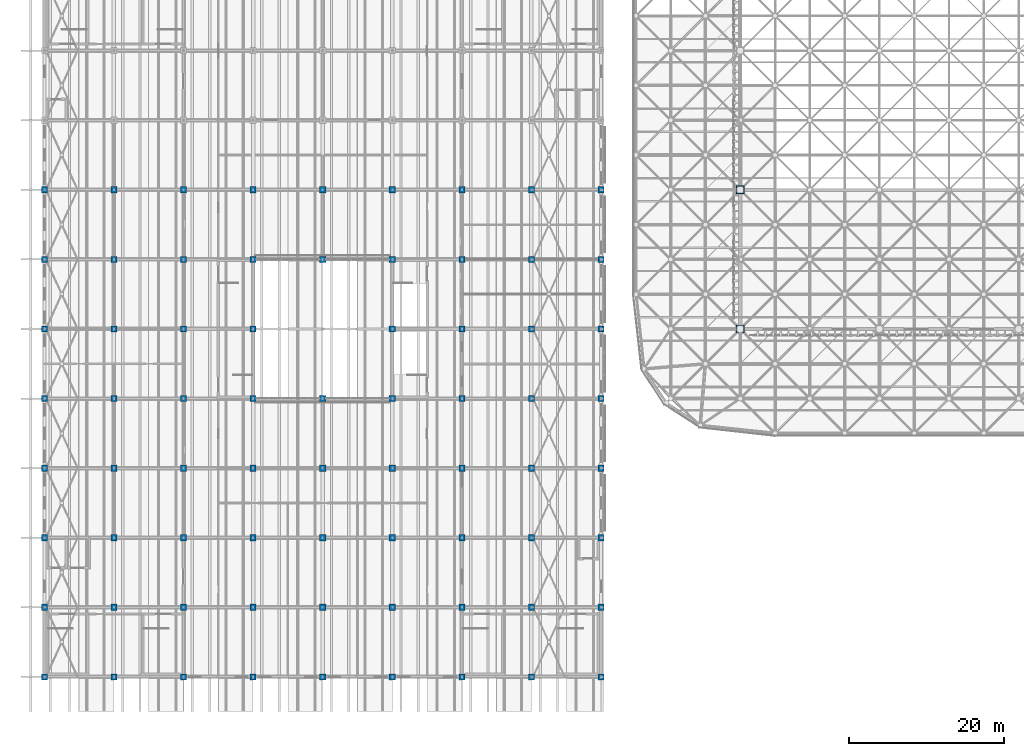
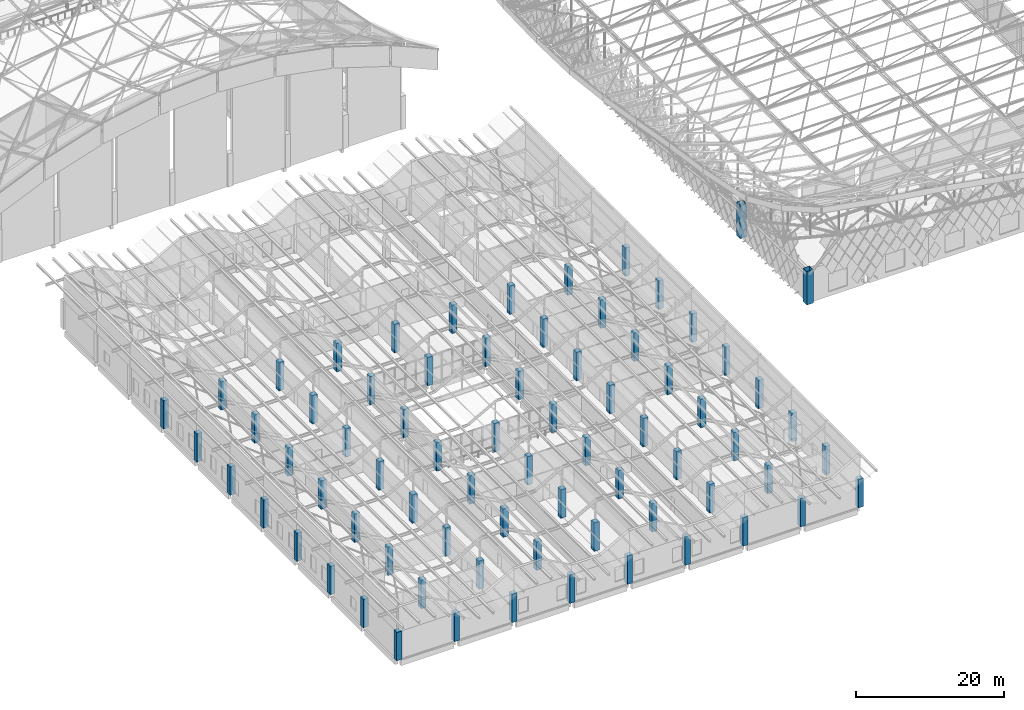
# One storey, part 1 of 437: 73 columns.
"""IFC4 building model written with IfcOpenShell, lengths in metres."""

from ifc_helpers import new_model, si_unit, direction, frame, origin, origin_2d, place, context, subcontext, project, spatial, rectangle, hollow_rectangle, extrude, material, material_profile, profile_set, type_object, element, save


model = new_model("IFC4")

# Units and contexts
model_context = context("Model", 3, precision=1e-05, world=origin(), true_north=direction((0.0, 1.0)))
body_context = subcontext(model_context, "Body", "Model", "MODEL_VIEW")
ifc_project = project(units=[si_unit("LENGTHUNIT", "METRE"), si_unit("AREAUNIT", "SQUARE_METRE"), si_unit("VOLUMEUNIT", "CUBIC_METRE"), si_unit("PLANEANGLEUNIT", "RADIAN"), si_unit("MASSUNIT", "GRAM", prefix="KILO")], contexts=[model_context])

# Site, building, storey
site_placement = place(None, origin())
site = spatial("IfcSite", under=ifc_project, at=site_placement, CompositionType="ELEMENT")
building_placement = place(site_placement, origin())
building = spatial("IfcBuilding", under=site, at=building_placement, Name="Opaline Strait Convention Centre", CompositionType="ELEMENT")
storey_placement = place(building_placement, frame((0.0, 0.0, 11.5)))
storey = spatial("IfcBuildingStorey", under=building, at=storey_placement, Name="L02", CompositionType="ELEMENT", Elevation=11.5)

# Columns
ifc_material_1 = material(Name="Steel Q355B", Category="steel")
ifc_material_profile_1 = material_profile(ifc_material_1, hollow_rectangle(XDim=1.0, YDim=1.0, WallThickness=0.031982421875, at=origin_2d()), Name="BOX 1000x1000x32")
ifc_profile_set_1 = profile_set([ifc_material_profile_1], Name="Steel Q355B")
column_type_1 = type_object("IfcColumnType", Name="CFT column BOX 1000x1000x32 C60 fill", PredefinedType="COLUMN", material=ifc_profile_set_1)
for number, where, z_axis, x_axis, name in (
    (1, (99.0, 54.0, 0.0), (0.0, 0.0, 1.0), (1.0, 0.0, 0.0), "Roof column XC-01"),
    (2, (99.0, 72.0, 0.0), (0.0, 0.0, 1.0), (1.0, 0.0, 0.0), "Roof column XC-02"),
):
    element("IfcColumn", number, at=place(storey_placement, frame(where, z_axis=z_axis, x_axis=x_axis)), inside=storey, type_object=column_type_1, Name=name, ObjectType="XC1", PredefinedType="COLUMN", context=body_context, shape_type="SweptSolid", body=[
        extrude(hollow_rectangle(XDim=1.0, YDim=1.0, WallThickness=0.031982421875, at=origin_2d()), origin(), (0.0, 0.0, 1.0), 5.5),
    ])
ifc_material_2 = material(Name="Concrete C40", Category="concrete")
ifc_material_profile_2 = material_profile(ifc_material_2, rectangle(XDim=0.800048828125, YDim=0.800048828125, at=origin_2d()), Name="RC 800x800")
ifc_profile_set_2 = profile_set([ifc_material_profile_2], Name="Concrete C40")
column_type_2 = type_object("IfcColumnType", Name="RC column 800x800 C40", PredefinedType="COLUMN", material=ifc_profile_set_2)
for number, where, z_axis, x_axis, name in (
    (3, (9.0, 9.0, 0.0), (0.0, 0.0, 1.0), (1.0, 0.0, 0.0), "RC1 L02 at 9/9"),
    (4, (9.0, 18.0, 0.0), (0.0, 0.0, 1.0), (1.0, 0.0, 0.0), "RC1 L02 at 9/18"),
    (5, (9.0, 27.0, 0.0), (0.0, 0.0, 1.0), (1.0, 0.0, 0.0), "RC1 L02 at 9/27"),
    (6, (9.0, 36.0, 0.0), (0.0, 0.0, 1.0), (1.0, 0.0, 0.0), "RC1 L02 at 9/36"),
    (7, (9.0, 45.0, 0.0), (0.0, 0.0, 1.0), (1.0, 0.0, 0.0), "RC1 L02 at 9/45"),
    (8, (9.0, 54.0, 0.0), (0.0, 0.0, 1.0), (1.0, 0.0, 0.0), "RC1 L02 at 9/54"),
    (9, (9.0, 63.0, 0.0), (0.0, 0.0, 1.0), (1.0, 0.0, 0.0), "RC1 L02 at 9/63"),
    (10, (9.0, 72.0, 0.0), (0.0, 0.0, 1.0), (1.0, 0.0, 0.0), "RC1 L02 at 9/72"),
    (11, (18.0, 9.0, 0.0), (0.0, 0.0, 1.0), (1.0, 0.0, 0.0), "RC1 L02 at 18/9"),
    (12, (18.0, 18.0, 0.0), (0.0, 0.0, 1.0), (1.0, 0.0, 0.0), "RC1 L02 at 18/18"),
    (13, (18.0, 27.0, 0.0), (0.0, 0.0, 1.0), (1.0, 0.0, 0.0), "RC1 L02 at 18/27"),
    (14, (18.0, 36.0, 0.0), (0.0, 0.0, 1.0), (1.0, 0.0, 0.0), "RC1 L02 at 18/36"),
    (15, (18.0, 45.0, 0.0), (0.0, 0.0, 1.0), (1.0, 0.0, 0.0), "RC1 L02 at 18/45"),
    (16, (18.0, 54.0, 0.0), (0.0, 0.0, 1.0), (1.0, 0.0, 0.0), "RC1 L02 at 18/54"),
    (17, (18.0, 63.0, 0.0), (0.0, 0.0, 1.0), (1.0, 0.0, 0.0), "RC1 L02 at 18/63"),
    (18, (18.0, 72.0, 0.0), (0.0, 0.0, 1.0), (1.0, 0.0, 0.0), "RC1 L02 at 18/72"),
    (19, (27.0, 9.0, 0.0), (0.0, 0.0, 1.0), (1.0, 0.0, 0.0), "RC1 L02 at 27/9"),
    (20, (27.0, 18.0, 0.0), (0.0, 0.0, 1.0), (1.0, 0.0, 0.0), "RC1 L02 at 27/18"),
    (21, (27.0, 27.0, 0.0), (0.0, 0.0, 1.0), (1.0, 0.0, 0.0), "RC1 L02 at 27/27"),
    (22, (27.0, 36.0, 0.0), (0.0, 0.0, 1.0), (1.0, 0.0, 0.0), "RC1 L02 at 27/36"),
    (23, (27.0, 45.0, 0.0), (0.0, 0.0, 1.0), (1.0, 0.0, 0.0), "RC1 L02 at 27/45"),
    (24, (27.0, 54.0, 0.0), (0.0, 0.0, 1.0), (1.0, 0.0, 0.0), "RC1 L02 at 27/54"),
    (25, (27.0, 63.0, 0.0), (0.0, 0.0, 1.0), (1.0, 0.0, 0.0), "RC1 L02 at 27/63"),
    (26, (27.0, 72.0, 0.0), (0.0, 0.0, 1.0), (1.0, 0.0, 0.0), "RC1 L02 at 27/72"),
    (27, (36.0, 9.0, 0.0), (0.0, 0.0, 1.0), (1.0, 0.0, 0.0), "RC1 L02 at 36/9"),
    (28, (36.0, 18.0, 0.0), (0.0, 0.0, 1.0), (1.0, 0.0, 0.0), "RC1 L02 at 36/18"),
    (29, (36.0, 27.0, 0.0), (0.0, 0.0, 1.0), (1.0, 0.0, 0.0), "RC1 L02 at 36/27"),
    (30, (36.0, 36.0, 0.0), (0.0, 0.0, 1.0), (1.0, 0.0, 0.0), "RC1 L02 at 36/36"),
    (31, (36.0, 45.0, 0.0), (0.0, 0.0, 1.0), (1.0, 0.0, 0.0), "RC1 L02 at 36/45"),
    (32, (36.0, 54.0, 0.0), (0.0, 0.0, 1.0), (1.0, 0.0, 0.0), "RC1 L02 at 36/54"),
    (33, (36.0, 63.0, 0.0), (0.0, 0.0, 1.0), (1.0, 0.0, 0.0), "RC1 L02 at 36/63"),
    (34, (36.0, 72.0, 0.0), (0.0, 0.0, 1.0), (1.0, 0.0, 0.0), "RC1 L02 at 36/72"),
    (35, (45.0, 9.0, 0.0), (0.0, 0.0, 1.0), (1.0, 0.0, 0.0), "RC1 L02 at 45/9"),
    (36, (45.0, 18.0, 0.0), (0.0, 0.0, 1.0), (1.0, 0.0, 0.0), "RC1 L02 at 45/18"),
    (37, (45.0, 27.0, 0.0), (0.0, 0.0, 1.0), (1.0, 0.0, 0.0), "RC1 L02 at 45/27"),
    (38, (45.0, 36.0, 0.0), (0.0, 0.0, 1.0), (1.0, 0.0, 0.0), "RC1 L02 at 45/36"),
    (39, (45.0, 45.0, 0.0), (0.0, 0.0, 1.0), (1.0, 0.0, 0.0), "RC1 L02 at 45/45"),
    (40, (45.0, 63.0, 0.0), (0.0, 0.0, 1.0), (1.0, 0.0, 0.0), "RC1 L02 at 45/63"),
    (41, (45.0, 72.0, 0.0), (0.0, 0.0, 1.0), (1.0, 0.0, 0.0), "RC1 L02 at 45/72"),
    (42, (54.0, 9.0, 0.0), (0.0, 0.0, 1.0), (1.0, 0.0, 0.0), "RC1 L02 at 54/9"),
    (43, (54.0, 18.0, 0.0), (0.0, 0.0, 1.0), (1.0, 0.0, 0.0), "RC1 L02 at 54/18"),
    (44, (54.0, 27.0, 0.0), (0.0, 0.0, 1.0), (1.0, 0.0, 0.0), "RC1 L02 at 54/27"),
    (45, (54.0, 36.0, 0.0), (0.0, 0.0, 1.0), (1.0, 0.0, 0.0), "RC1 L02 at 54/36"),
    (46, (54.0, 45.0, 0.0), (0.0, 0.0, 1.0), (1.0, 0.0, 0.0), "RC1 L02 at 54/45"),
    (47, (54.0, 54.0, 0.0), (0.0, 0.0, 1.0), (1.0, 0.0, 0.0), "RC1 L02 at 54/54"),
    (48, (54.0, 63.0, 0.0), (0.0, 0.0, 1.0), (1.0, 0.0, 0.0), "RC1 L02 at 54/63"),
    (49, (54.0, 72.0, 0.0), (0.0, 0.0, 1.0), (1.0, 0.0, 0.0), "RC1 L02 at 54/72"),
    (50, (63.0, 9.0, 0.0), (0.0, 0.0, 1.0), (1.0, 0.0, 0.0), "RC1 L02 at 63/9"),
    (51, (63.0, 18.0, 0.0), (0.0, 0.0, 1.0), (1.0, 0.0, 0.0), "RC1 L02 at 63/18"),
    (52, (63.0, 27.0, 0.0), (0.0, 0.0, 1.0), (1.0, 0.0, 0.0), "RC1 L02 at 63/27"),
    (53, (63.0, 36.0, 0.0), (0.0, 0.0, 1.0), (1.0, 0.0, 0.0), "RC1 L02 at 63/36"),
    (54, (63.0, 45.0, 0.0), (0.0, 0.0, 1.0), (1.0, 0.0, 0.0), "RC1 L02 at 63/45"),
    (55, (63.0, 54.0, 0.0), (0.0, 0.0, 1.0), (1.0, 0.0, 0.0), "RC1 L02 at 63/54"),
    (56, (63.0, 63.0, 0.0), (0.0, 0.0, 1.0), (1.0, 0.0, 0.0), "RC1 L02 at 63/63"),
    (57, (63.0, 72.0, 0.0), (0.0, 0.0, 1.0), (1.0, 0.0, 0.0), "RC1 L02 at 63/72"),
    (58, (72.0, 9.0, 0.0), (0.0, 0.0, 1.0), (1.0, 0.0, 0.0), "RC1 L02 at 72/9"),
    (59, (72.0, 18.0, 0.0), (0.0, 0.0, 1.0), (1.0, 0.0, 0.0), "RC1 L02 at 72/18"),
    (60, (72.0, 27.0, 0.0), (0.0, 0.0, 1.0), (1.0, 0.0, 0.0), "RC1 L02 at 72/27"),
    (61, (72.0, 36.0, 0.0), (0.0, 0.0, 1.0), (1.0, 0.0, 0.0), "RC1 L02 at 72/36"),
    (62, (72.0, 45.0, 0.0), (0.0, 0.0, 1.0), (1.0, 0.0, 0.0), "RC1 L02 at 72/45"),
    (63, (72.0, 54.0, 0.0), (0.0, 0.0, 1.0), (1.0, 0.0, 0.0), "RC1 L02 at 72/54"),
    (64, (72.0, 63.0, 0.0), (0.0, 0.0, 1.0), (1.0, 0.0, 0.0), "RC1 L02 at 72/63"),
    (65, (72.0, 72.0, 0.0), (0.0, 0.0, 1.0), (1.0, 0.0, 0.0), "RC1 L02 at 72/72"),
    (66, (81.0, 9.0, 0.0), (0.0, 0.0, 1.0), (1.0, 0.0, 0.0), "RC1 L02 at 81/9"),
    (67, (81.0, 18.0, 0.0), (0.0, 0.0, 1.0), (1.0, 0.0, 0.0), "RC1 L02 at 81/18"),
    (68, (81.0, 27.0, 0.0), (0.0, 0.0, 1.0), (1.0, 0.0, 0.0), "RC1 L02 at 81/27"),
    (69, (81.0, 36.0, 0.0), (0.0, 0.0, 1.0), (1.0, 0.0, 0.0), "RC1 L02 at 81/36"),
    (70, (81.0, 45.0, 0.0), (0.0, 0.0, 1.0), (1.0, 0.0, 0.0), "RC1 L02 at 81/45"),
    (71, (81.0, 54.0, 0.0), (0.0, 0.0, 1.0), (1.0, 0.0, 0.0), "RC1 L02 at 81/54"),
    (72, (81.0, 63.0, 0.0), (0.0, 0.0, 1.0), (1.0, 0.0, 0.0), "RC1 L02 at 81/63"),
    (73, (81.0, 72.0, 0.0), (0.0, 0.0, 1.0), (1.0, 0.0, 0.0), "RC1 L02 at 81/72"),
):
    element("IfcColumn", number, at=place(storey_placement, frame(where, z_axis=z_axis, x_axis=x_axis)), inside=storey, type_object=column_type_2, Name=name, PredefinedType="COLUMN", context=body_context, shape_type="SweptSolid", body=[
        extrude(rectangle(XDim=0.800048828125, YDim=0.800048828125, at=origin_2d()), origin(), (0.0, 0.0, 1.0), 4.669921875),
    ])

save(model, "model.ifc")
